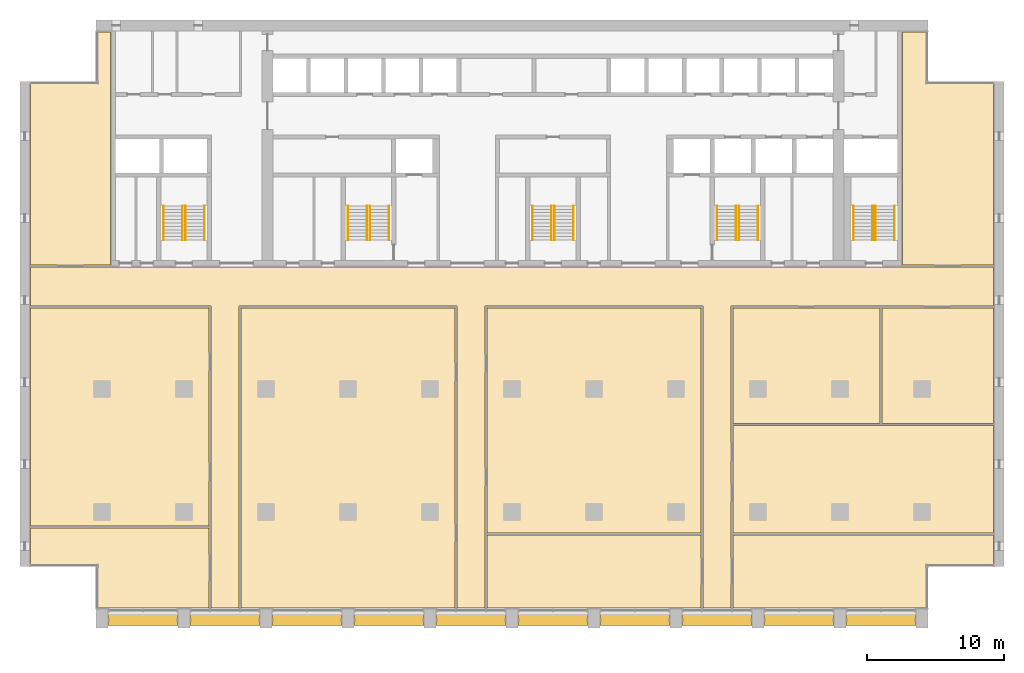
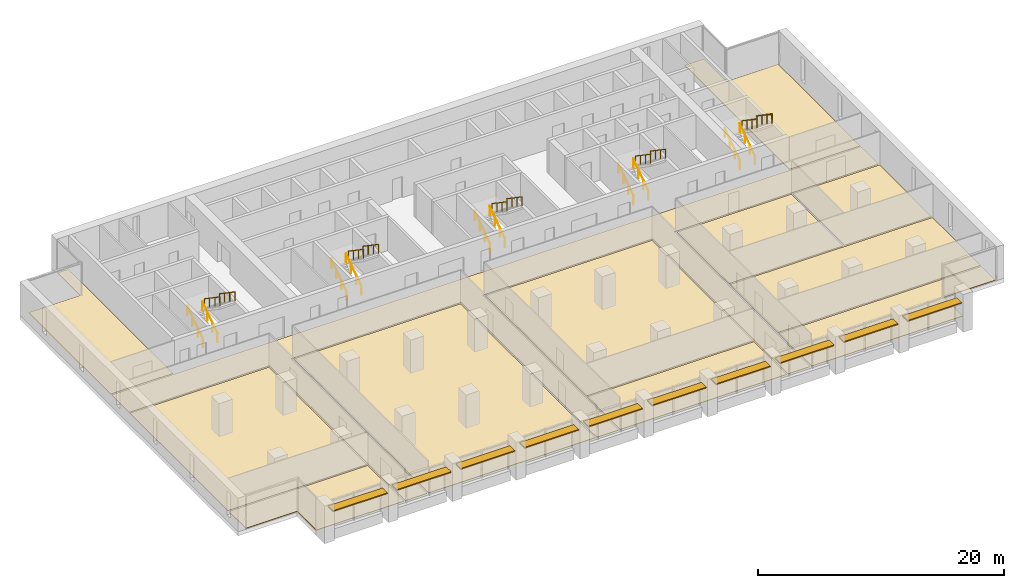
# One storey, part 16 of 16: 20 railings, 12 coverings, 10 shading devices, 5 elements without a shape of their own.
"""IFC4 building model written with IfcOpenShell, lengths in metres."""

from ifc_helpers import new_model, si_unit, direction, frame, origin, origin_2d, place, context, subcontext, project, spatial, polyline, rectangle, circle, outline, extrude, material, layer, layer_set, material_profile, profile_set, type_object, element, aggregate, save


model = new_model("IFC4")

# Units and contexts
model_context = context("Model", 3, precision=1e-05, world=origin(), true_north=direction((0.0, 1.0)))
body_context = subcontext(model_context, "Body", "Model", "MODEL_VIEW")
ifc_project = project(units=[si_unit("LENGTHUNIT", "METRE"), si_unit("AREAUNIT", "SQUARE_METRE"), si_unit("VOLUMEUNIT", "CUBIC_METRE"), si_unit("PLANEANGLEUNIT", "RADIAN"), si_unit("MASSUNIT", "GRAM", prefix="KILO")], contexts=[model_context])

# Site, building, storey
site_placement = place(None, origin())
site = spatial("IfcSite", under=ifc_project, at=site_placement, CompositionType="ELEMENT")
building_placement = place(site_placement, origin())
building = spatial("IfcBuilding", under=site, at=building_placement, Name="Calvaro Tower", CompositionType="ELEMENT")
storey_placement = place(building_placement, frame((0.0, 0.0, 140.0)))
storey = spatial("IfcBuildingStorey", under=building, at=storey_placement, Name="L35", CompositionType="ELEMENT", Elevation=140.0)

# Shading devices
ifc_material_1 = material(Name="Anodised aluminium", Category="aluminium")
ifc_material_profile = material_profile(ifc_material_1, rectangle(XDim=0.800048828125, YDim=0.10009765625, at=origin_2d()), Name="Brise-soleil blade 800 x 100")
ifc_profile_set = profile_set([ifc_material_profile], Name="Anodised aluminium")
shading_device_type = type_object("IfcShadingDeviceType", Name="Brise-soleil blade 800 x 100", PredefinedType="JALOUSIE", material=ifc_profile_set)
for number, where, z_axis, x_axis, name in (
    (1, (6.449951171875, 2.10009765625, 2.39990234375), (1.0, 0.0, 0.0), (0.0, 1.0, 0.0), "Brise-soleil blade 1"),
    (2, (12.449951171875, 2.10009765625, 2.39990234375), (1.0, 0.0, 0.0), (0.0, 1.0, 0.0), "Brise-soleil blade 2"),
    (3, (18.449951171875, 2.10009765625, 2.39990234375), (1.0, 0.0, 0.0), (0.0, 1.0, 0.0), "Brise-soleil blade 3"),
    (4, (24.449951171875, 2.10009765625, 2.39990234375), (1.0, 0.0, 0.0), (0.0, 1.0, 0.0), "Brise-soleil blade 4"),
    (5, (30.449951171875, 2.10009765625, 2.39990234375), (1.0, 0.0, 0.0), (0.0, 1.0, 0.0), "Brise-soleil blade 5"),
    (6, (36.449951171875, 2.10009765625, 2.39990234375), (1.0, 0.0, 0.0), (0.0, 1.0, 0.0), "Brise-soleil blade 6"),
    (7, (42.449951171875, 2.10009765625, 2.39990234375), (1.0, 0.0, 0.0), (0.0, 1.0, 0.0), "Brise-soleil blade 7"),
    (8, (48.449951171875, 2.10009765625, 2.39990234375), (1.0, 0.0, 0.0), (0.0, 1.0, 0.0), "Brise-soleil blade 8"),
    (9, (54.449951171875, 2.10009765625, 2.39990234375), (1.0, 0.0, 0.0), (0.0, 1.0, 0.0), "Brise-soleil blade 9"),
    (10, (60.449951171875, 2.10009765625, 2.39990234375), (1.0, 0.0, 0.0), (0.0, 1.0, 0.0), "Brise-soleil blade 10"),
):
    element("IfcShadingDevice", number, at=place(storey_placement, frame(where, z_axis=z_axis, x_axis=x_axis)), inside=storey, type_object=shading_device_type, Name=name, PredefinedType="JALOUSIE", context=body_context, shape_type="SweptSolid", body=[
        extrude(rectangle(XDim=0.800048828125, YDim=0.10009765625, at=origin_2d()), origin(), (0.0, 0.0, 1.0), 5.10009765625),
    ])

# Coverings
ifc_material_2 = material(Name="Cement screed with carpet tile finish")
ifc_layer = layer(ifc_material_2, 0.050048828125)
ifc_layer_set = layer_set([ifc_layer], Name="Cement screed with carpet tile finish")
covering_type = type_object("IfcCoveringType", Name="Floor finish 50", PredefinedType="FLOORING", material=ifc_layer_set)
covering_1_placement = place(storey_placement, origin())
element("IfcCovering", 11, at=covering_1_placement, inside=storey, type_object=covering_type, Name="Floor finish 21.01", PredefinedType="FLOORING", context=body_context, shape_type="SweptSolid", body=[
    extrude(outline(polyline([(0.77001953125, 25.070068359375), (0.77001953125, 27.929931640625), (71.22998046875, 27.929931640625), (71.22998046875, 25.070068359375), (52.030029296875, 25.070068359375), (52.030029296875, 2.969970703125), (49.969970703125, 2.969970703125), (49.969970703125, 25.070068359375), (34.030029296875, 25.070068359375), (34.030029296875, 2.969970703125), (31.969970703125, 2.969970703125), (31.969970703125, 25.070068359375), (16.030029296875, 25.070068359375), (16.030029296875, 2.969970703125), (13.969970703125, 2.969970703125), (13.969970703125, 25.070068359375), (0.77001953125, 25.070068359375)])), origin(), (0.0, 0.0, 1.0), 0.050048828125),
])
covering_2_placement = place(storey_placement, origin())
element("IfcCovering", 12, at=covering_2_placement, inside=storey, type_object=covering_type, Name="Floor finish 21.04", PredefinedType="FLOORING", context=body_context, shape_type="SweptSolid", body=[
    extrude(outline(polyline([(13.830078125, 8.830078125), (13.830078125, 2.969970703125), (5.6201171875, 2.969970703125), (5.6201171875, 6.070068359375), (0.77001953125, 6.070068359375), (0.77001953125, 8.830078125), (13.830078125, 8.830078125)])), origin(), (0.0, 0.0, 1.0), 0.050048828125),
])
covering_3_placement = place(storey_placement, origin())
element("IfcCovering", 13, at=covering_3_placement, inside=storey, type_object=covering_type, Name="Floor finish 21.08", PredefinedType="FLOORING", context=body_context, shape_type="SweptSolid", body=[
    extrude(outline(polyline([(13.830078125, 24.929931640625), (13.830078125, 8.969970703125), (0.77001953125, 8.969970703125), (0.77001953125, 24.929931640625), (13.830078125, 24.929931640625)])), origin(), (0.0, 0.0, 1.0), 0.050048828125),
])
covering_4_placement = place(storey_placement, origin())
element("IfcCovering", 14, at=covering_4_placement, inside=storey, type_object=covering_type, Name="Floor finish 21.06", PredefinedType="FLOORING", context=body_context, shape_type="SweptSolid", body=[
    extrude(outline(polyline([(16.169921875, 24.929931640625), (31.830078125, 24.929931640625), (31.830078125, 2.969970703125), (16.169921875, 2.969970703125), (16.169921875, 24.929931640625)])), origin(), (0.0, 0.0, 1.0), 0.050048828125),
])
covering_5_placement = place(storey_placement, origin())
element("IfcCovering", 15, at=covering_5_placement, inside=storey, type_object=covering_type, Name="Floor finish 21.02", PredefinedType="FLOORING", context=body_context, shape_type="SweptSolid", body=[
    extrude(outline(polyline([(34.169921875, 8.330078125), (49.830078125, 8.330078125), (49.830078125, 2.969970703125), (34.169921875, 2.969970703125), (34.169921875, 8.330078125)])), origin(), (0.0, 0.0, 1.0), 0.050048828125),
])
covering_6_placement = place(storey_placement, origin())
element("IfcCovering", 16, at=covering_6_placement, inside=storey, type_object=covering_type, Name="Floor finish 21.07", PredefinedType="FLOORING", context=body_context, shape_type="SweptSolid", body=[
    extrude(outline(polyline([(34.169921875, 8.469970703125), (34.169921875, 24.929931640625), (49.830078125, 24.929931640625), (49.830078125, 8.469970703125), (34.169921875, 8.469970703125)])), origin(), (0.0, 0.0, 1.0), 0.050048828125),
])
covering_7_placement = place(storey_placement, origin())
element("IfcCovering", 17, at=covering_7_placement, inside=storey, type_object=covering_type, Name="Floor finish 21.03", PredefinedType="FLOORING", context=body_context, shape_type="SweptSolid", body=[
    extrude(outline(polyline([(71.22998046875, 6.070068359375), (66.3798828125, 6.070068359375), (66.3798828125, 2.969970703125), (52.169921875, 2.969970703125), (52.169921875, 8.330078125), (71.22998046875, 8.330078125), (71.22998046875, 6.070068359375)])), origin(), (0.0, 0.0, 1.0), 0.050048828125),
])
covering_8_placement = place(storey_placement, origin())
element("IfcCovering", 18, at=covering_8_placement, inside=storey, type_object=covering_type, Name="Floor finish 21.05", PredefinedType="FLOORING", context=body_context, shape_type="SweptSolid", body=[
    extrude(outline(polyline([(71.22998046875, 8.469970703125), (52.169921875, 8.469970703125), (52.169921875, 16.330078125), (71.22998046875, 16.330078125), (71.22998046875, 8.469970703125)])), origin(), (0.0, 0.0, 1.0), 0.050048828125),
])
covering_9_placement = place(storey_placement, origin())
element("IfcCovering", 19, at=covering_9_placement, inside=storey, type_object=covering_type, Name="Floor finish 21.09", PredefinedType="FLOORING", context=body_context, shape_type="SweptSolid", body=[
    extrude(outline(polyline([(52.169921875, 16.469970703125), (52.169921875, 24.929931640625), (62.929931640625, 24.929931640625), (62.929931640625, 16.469970703125), (52.169921875, 16.469970703125)])), origin(), (0.0, 0.0, 1.0), 0.050048828125),
])
covering_10_placement = place(storey_placement, origin())
element("IfcCovering", 20, at=covering_10_placement, inside=storey, type_object=covering_type, Name="Floor finish 21.10", PredefinedType="FLOORING", context=body_context, shape_type="SweptSolid", body=[
    extrude(outline(polyline([(71.22998046875, 16.469970703125), (63.070068359375, 16.469970703125), (63.070068359375, 24.929931640625), (71.22998046875, 24.929931640625), (71.22998046875, 16.469970703125)])), origin(), (0.0, 0.0, 1.0), 0.050048828125),
])
covering_11_placement = place(storey_placement, origin())
element("IfcCovering", 21, at=covering_11_placement, inside=storey, type_object=covering_type, Name="Floor finish 21.11", PredefinedType="FLOORING", context=body_context, shape_type="SweptSolid", body=[
    extrude(outline(polyline([(6.6298828125, 28.070068359375), (0.77001953125, 28.070068359375), (0.77001953125, 41.429931640625), (5.6201171875, 41.429931640625), (5.6201171875, 45.1298828125), (6.6298828125, 45.1298828125), (6.6298828125, 28.070068359375)])), origin(), (0.0, 0.0, 1.0), 0.050048828125),
])
covering_12_placement = place(storey_placement, origin())
element("IfcCovering", 22, at=covering_12_placement, inside=storey, type_object=covering_type, Name="Floor finish 21.12", PredefinedType="FLOORING", context=body_context, shape_type="SweptSolid", body=[
    extrude(outline(polyline([(71.22998046875, 28.070068359375), (64.570068359375, 28.070068359375), (64.570068359375, 45.1298828125), (66.3798828125, 45.1298828125), (66.3798828125, 41.429931640625), (71.22998046875, 41.429931640625), (71.22998046875, 28.070068359375)])), origin(), (0.0, 0.0, 1.0), 0.050048828125),
])

# Stair, railings
ifc_material_3 = material(Name="Concrete C40/50", Category="concrete")
stair_type = type_object("IfcStairType", Name="Exit stair 1400 2 flights", PredefinedType="HALF_TURN_STAIR", material=ifc_material_3)
stair_1_placement = place(storey_placement, origin())
stair_1 = element("IfcStair", 23, at=stair_1_placement, inside=storey, type_object=stair_type, Name="Exit stair S1", PredefinedType="HALF_TURN_STAIR")
ifc_material_4 = material(Name="Stainless steel", Category="steel")
railing_type = type_object("IfcRailingType", Name="Stair handrail", PredefinedType="HANDRAIL", material=ifc_material_4)
railing_1_placement = place(storey_placement, frame((11.89990234375, 29.89990234375, 0.17041015625)))
railing_1 = element("IfcRailing", 24, at=railing_1_placement, type_object=railing_type, Name="Exit stair 1 handrail", PredefinedType="HANDRAIL", context=body_context, shape_type="SweptSolid", body=[
    extrude(circle(Radius=0.02392578125, at=origin_2d()), frame((0.0, 0.0, 0.8759765625), z_axis=(0.0, 0.826220514629, 0.563346839174), x_axis=(-1.0, 0.0, 0.0)), (0.0, 0.0, 1.0), 3.02587890625),
    extrude(circle(Radius=0.02099609375, at=origin_2d()), frame((0.0, 0.017333984375, 0.01171875)), (0.0, 0.0, 1.0), 0.851806640625),
    extrude(circle(Radius=0.02099609375, at=origin_2d()), frame((0.0, 0.833251953125, 0.568115234375)), (0.0, 0.0, 1.0), 0.851806640625),
    extrude(circle(Radius=0.02099609375, at=origin_2d()), frame((0.0, 1.666748046875, 1.136474609375)), (0.0, 0.0, 1.0), 0.851806640625),
    extrude(circle(Radius=0.02099609375, at=origin_2d()), frame((0.0, 2.482666015625, 1.69287109375)), (0.0, 0.0, 1.0), 0.851806640625),
])
railing_2_placement = place(storey_placement, frame((10.5, 29.89990234375, 0.17041015625)))
railing_2 = element("IfcRailing", 25, at=railing_2_placement, type_object=railing_type, Name="Exit stair 1 handrail", PredefinedType="HANDRAIL", context=body_context, shape_type="SweptSolid", body=[
    extrude(circle(Radius=0.02392578125, at=origin_2d()), frame((0.0, 0.0, 0.8759765625), z_axis=(0.0, 0.826220514629, 0.563346839174), x_axis=(-1.0, 0.0, 0.0)), (0.0, 0.0, 1.0), 3.02587890625),
    extrude(circle(Radius=0.02099609375, at=origin_2d()), frame((0.0, 0.017333984375, 0.01171875)), (0.0, 0.0, 1.0), 0.851806640625),
    extrude(circle(Radius=0.02099609375, at=origin_2d()), frame((0.0, 0.833251953125, 0.568115234375)), (0.0, 0.0, 1.0), 0.851806640625),
    extrude(circle(Radius=0.02099609375, at=origin_2d()), frame((0.0, 1.666748046875, 1.136474609375)), (0.0, 0.0, 1.0), 0.851806640625),
    extrude(circle(Radius=0.02099609375, at=origin_2d()), frame((0.0, 2.482666015625, 1.69287109375)), (0.0, 0.0, 1.0), 0.851806640625),
])
railing_3_placement = place(storey_placement, frame((12.10009765625, 32.39990234375, 2.04541015625)))
railing_3 = element("IfcRailing", 26, at=railing_3_placement, type_object=railing_type, Name="Exit stair 1 handrail", PredefinedType="HANDRAIL", context=body_context, shape_type="SweptSolid", body=[
    extrude(circle(Radius=0.02392578125, at=origin_2d()), frame((0.0, 0.0, 0.8759765625), z_axis=(0.0, -0.826220514629, 0.563346839174), x_axis=(1.0, 0.0, 0.0)), (0.0, 0.0, 1.0), 3.02587890625),
    extrude(circle(Radius=0.02099609375, at=origin_2d()), frame((0.0, -0.017333984375, 0.01171875)), (0.0, 0.0, 1.0), 0.851806640625),
    extrude(circle(Radius=0.02099609375, at=origin_2d()), frame((0.0, -0.833251953125, 0.568115234375)), (0.0, 0.0, 1.0), 0.851806640625),
    extrude(circle(Radius=0.02099609375, at=origin_2d()), frame((0.0, -1.666748046875, 1.136474609375)), (0.0, 0.0, 1.0), 0.851806640625),
    extrude(circle(Radius=0.02099609375, at=origin_2d()), frame((0.0, -2.482666015625, 1.69287109375)), (0.0, 0.0, 1.0), 0.851806640625),
])
railing_4_placement = place(storey_placement, frame((13.5, 32.39990234375, 2.04541015625)))
railing_4 = element("IfcRailing", 27, at=railing_4_placement, type_object=railing_type, Name="Exit stair 1 handrail", PredefinedType="HANDRAIL", context=body_context, shape_type="SweptSolid", body=[
    extrude(circle(Radius=0.02392578125, at=origin_2d()), frame((0.0, 0.0, 0.8759765625), z_axis=(0.0, -0.826220514629, 0.563346839174), x_axis=(1.0, 0.0, 0.0)), (0.0, 0.0, 1.0), 3.02587890625),
    extrude(circle(Radius=0.02099609375, at=origin_2d()), frame((0.0, -0.017333984375, 0.01171875)), (0.0, 0.0, 1.0), 0.851806640625),
    extrude(circle(Radius=0.02099609375, at=origin_2d()), frame((0.0, -0.833251953125, 0.568115234375)), (0.0, 0.0, 1.0), 0.851806640625),
    extrude(circle(Radius=0.02099609375, at=origin_2d()), frame((0.0, -1.666748046875, 1.136474609375)), (0.0, 0.0, 1.0), 0.851806640625),
    extrude(circle(Radius=0.02099609375, at=origin_2d()), frame((0.0, -2.482666015625, 1.69287109375)), (0.0, 0.0, 1.0), 0.851806640625),
])
aggregate(stair_1, [railing_1, railing_2, railing_3, railing_4])

stair_2_placement = place(storey_placement, origin())
stair_2 = element("IfcStair", 28, at=stair_2_placement, inside=storey, type_object=stair_type, Name="Exit stair S2", PredefinedType="HALF_TURN_STAIR")
railing_5_placement = place(storey_placement, frame((25.39990234375, 29.89990234375, 0.17041015625)))
railing_5 = element("IfcRailing", 29, at=railing_5_placement, type_object=railing_type, Name="Exit stair 2 handrail", PredefinedType="HANDRAIL", context=body_context, shape_type="SweptSolid", body=[
    extrude(circle(Radius=0.02392578125, at=origin_2d()), frame((0.0, 0.0, 0.8759765625), z_axis=(0.0, 0.826220514629, 0.563346839174), x_axis=(-1.0, 0.0, 0.0)), (0.0, 0.0, 1.0), 3.02587890625),
    extrude(circle(Radius=0.02099609375, at=origin_2d()), frame((0.0, 0.017333984375, 0.01171875)), (0.0, 0.0, 1.0), 0.851806640625),
    extrude(circle(Radius=0.02099609375, at=origin_2d()), frame((0.0, 0.833251953125, 0.568115234375)), (0.0, 0.0, 1.0), 0.851806640625),
    extrude(circle(Radius=0.02099609375, at=origin_2d()), frame((0.0, 1.666748046875, 1.136474609375)), (0.0, 0.0, 1.0), 0.851806640625),
    extrude(circle(Radius=0.02099609375, at=origin_2d()), frame((0.0, 2.482666015625, 1.69287109375)), (0.0, 0.0, 1.0), 0.851806640625),
])
railing_6_placement = place(storey_placement, frame((24.0, 29.89990234375, 0.17041015625)))
railing_6 = element("IfcRailing", 30, at=railing_6_placement, type_object=railing_type, Name="Exit stair 2 handrail", PredefinedType="HANDRAIL", context=body_context, shape_type="SweptSolid", body=[
    extrude(circle(Radius=0.02392578125, at=origin_2d()), frame((0.0, 0.0, 0.8759765625), z_axis=(0.0, 0.826220514629, 0.563346839174), x_axis=(-1.0, 0.0, 0.0)), (0.0, 0.0, 1.0), 3.02587890625),
    extrude(circle(Radius=0.02099609375, at=origin_2d()), frame((0.0, 0.017333984375, 0.01171875)), (0.0, 0.0, 1.0), 0.851806640625),
    extrude(circle(Radius=0.02099609375, at=origin_2d()), frame((0.0, 0.833251953125, 0.568115234375)), (0.0, 0.0, 1.0), 0.851806640625),
    extrude(circle(Radius=0.02099609375, at=origin_2d()), frame((0.0, 1.666748046875, 1.136474609375)), (0.0, 0.0, 1.0), 0.851806640625),
    extrude(circle(Radius=0.02099609375, at=origin_2d()), frame((0.0, 2.482666015625, 1.69287109375)), (0.0, 0.0, 1.0), 0.851806640625),
])
railing_7_placement = place(storey_placement, frame((25.60009765625, 32.39990234375, 2.04541015625)))
railing_7 = element("IfcRailing", 31, at=railing_7_placement, type_object=railing_type, Name="Exit stair 2 handrail", PredefinedType="HANDRAIL", context=body_context, shape_type="SweptSolid", body=[
    extrude(circle(Radius=0.02392578125, at=origin_2d()), frame((0.0, 0.0, 0.8759765625), z_axis=(0.0, -0.826220514629, 0.563346839174), x_axis=(1.0, 0.0, 0.0)), (0.0, 0.0, 1.0), 3.02587890625),
    extrude(circle(Radius=0.02099609375, at=origin_2d()), frame((0.0, -0.017333984375, 0.01171875)), (0.0, 0.0, 1.0), 0.851806640625),
    extrude(circle(Radius=0.02099609375, at=origin_2d()), frame((0.0, -0.833251953125, 0.568115234375)), (0.0, 0.0, 1.0), 0.851806640625),
    extrude(circle(Radius=0.02099609375, at=origin_2d()), frame((0.0, -1.666748046875, 1.136474609375)), (0.0, 0.0, 1.0), 0.851806640625),
    extrude(circle(Radius=0.02099609375, at=origin_2d()), frame((0.0, -2.482666015625, 1.69287109375)), (0.0, 0.0, 1.0), 0.851806640625),
])
railing_8_placement = place(storey_placement, frame((27.0, 32.39990234375, 2.04541015625)))
railing_8 = element("IfcRailing", 32, at=railing_8_placement, type_object=railing_type, Name="Exit stair 2 handrail", PredefinedType="HANDRAIL", context=body_context, shape_type="SweptSolid", body=[
    extrude(circle(Radius=0.02392578125, at=origin_2d()), frame((0.0, 0.0, 0.8759765625), z_axis=(0.0, -0.826220514629, 0.563346839174), x_axis=(1.0, 0.0, 0.0)), (0.0, 0.0, 1.0), 3.02587890625),
    extrude(circle(Radius=0.02099609375, at=origin_2d()), frame((0.0, -0.017333984375, 0.01171875)), (0.0, 0.0, 1.0), 0.851806640625),
    extrude(circle(Radius=0.02099609375, at=origin_2d()), frame((0.0, -0.833251953125, 0.568115234375)), (0.0, 0.0, 1.0), 0.851806640625),
    extrude(circle(Radius=0.02099609375, at=origin_2d()), frame((0.0, -1.666748046875, 1.136474609375)), (0.0, 0.0, 1.0), 0.851806640625),
    extrude(circle(Radius=0.02099609375, at=origin_2d()), frame((0.0, -2.482666015625, 1.69287109375)), (0.0, 0.0, 1.0), 0.851806640625),
])
aggregate(stair_2, [railing_5, railing_6, railing_7, railing_8])

stair_3_placement = place(storey_placement, origin())
stair_3 = element("IfcStair", 33, at=stair_3_placement, inside=storey, type_object=stair_type, Name="Exit stair S3", PredefinedType="HALF_TURN_STAIR")
railing_9_placement = place(storey_placement, frame((38.89990234375, 29.89990234375, 0.17041015625)))
railing_9 = element("IfcRailing", 34, at=railing_9_placement, type_object=railing_type, Name="Exit stair 3 handrail", PredefinedType="HANDRAIL", context=body_context, shape_type="SweptSolid", body=[
    extrude(circle(Radius=0.02392578125, at=origin_2d()), frame((0.0, 0.0, 0.8759765625), z_axis=(0.0, 0.826220514629, 0.563346839174), x_axis=(-1.0, 0.0, 0.0)), (0.0, 0.0, 1.0), 3.02587890625),
    extrude(circle(Radius=0.02099609375, at=origin_2d()), frame((0.0, 0.017333984375, 0.01171875)), (0.0, 0.0, 1.0), 0.851806640625),
    extrude(circle(Radius=0.02099609375, at=origin_2d()), frame((0.0, 0.833251953125, 0.568115234375)), (0.0, 0.0, 1.0), 0.851806640625),
    extrude(circle(Radius=0.02099609375, at=origin_2d()), frame((0.0, 1.666748046875, 1.136474609375)), (0.0, 0.0, 1.0), 0.851806640625),
    extrude(circle(Radius=0.02099609375, at=origin_2d()), frame((0.0, 2.482666015625, 1.69287109375)), (0.0, 0.0, 1.0), 0.851806640625),
])
railing_10_placement = place(storey_placement, frame((37.5, 29.89990234375, 0.17041015625)))
railing_10 = element("IfcRailing", 35, at=railing_10_placement, type_object=railing_type, Name="Exit stair 3 handrail", PredefinedType="HANDRAIL", context=body_context, shape_type="SweptSolid", body=[
    extrude(circle(Radius=0.02392578125, at=origin_2d()), frame((0.0, 0.0, 0.8759765625), z_axis=(0.0, 0.826220514629, 0.563346839174), x_axis=(-1.0, 0.0, 0.0)), (0.0, 0.0, 1.0), 3.02587890625),
    extrude(circle(Radius=0.02099609375, at=origin_2d()), frame((0.0, 0.017333984375, 0.01171875)), (0.0, 0.0, 1.0), 0.851806640625),
    extrude(circle(Radius=0.02099609375, at=origin_2d()), frame((0.0, 0.833251953125, 0.568115234375)), (0.0, 0.0, 1.0), 0.851806640625),
    extrude(circle(Radius=0.02099609375, at=origin_2d()), frame((0.0, 1.666748046875, 1.136474609375)), (0.0, 0.0, 1.0), 0.851806640625),
    extrude(circle(Radius=0.02099609375, at=origin_2d()), frame((0.0, 2.482666015625, 1.69287109375)), (0.0, 0.0, 1.0), 0.851806640625),
])
railing_11_placement = place(storey_placement, frame((39.10009765625, 32.39990234375, 2.04541015625)))
railing_11 = element("IfcRailing", 36, at=railing_11_placement, type_object=railing_type, Name="Exit stair 3 handrail", PredefinedType="HANDRAIL", context=body_context, shape_type="SweptSolid", body=[
    extrude(circle(Radius=0.02392578125, at=origin_2d()), frame((0.0, 0.0, 0.8759765625), z_axis=(0.0, -0.826220514629, 0.563346839174), x_axis=(1.0, 0.0, 0.0)), (0.0, 0.0, 1.0), 3.02587890625),
    extrude(circle(Radius=0.02099609375, at=origin_2d()), frame((0.0, -0.017333984375, 0.01171875)), (0.0, 0.0, 1.0), 0.851806640625),
    extrude(circle(Radius=0.02099609375, at=origin_2d()), frame((0.0, -0.833251953125, 0.568115234375)), (0.0, 0.0, 1.0), 0.851806640625),
    extrude(circle(Radius=0.02099609375, at=origin_2d()), frame((0.0, -1.666748046875, 1.136474609375)), (0.0, 0.0, 1.0), 0.851806640625),
    extrude(circle(Radius=0.02099609375, at=origin_2d()), frame((0.0, -2.482666015625, 1.69287109375)), (0.0, 0.0, 1.0), 0.851806640625),
])
railing_12_placement = place(storey_placement, frame((40.5, 32.39990234375, 2.04541015625)))
railing_12 = element("IfcRailing", 37, at=railing_12_placement, type_object=railing_type, Name="Exit stair 3 handrail", PredefinedType="HANDRAIL", context=body_context, shape_type="SweptSolid", body=[
    extrude(circle(Radius=0.02392578125, at=origin_2d()), frame((0.0, 0.0, 0.8759765625), z_axis=(0.0, -0.826220514629, 0.563346839174), x_axis=(1.0, 0.0, 0.0)), (0.0, 0.0, 1.0), 3.02587890625),
    extrude(circle(Radius=0.02099609375, at=origin_2d()), frame((0.0, -0.017333984375, 0.01171875)), (0.0, 0.0, 1.0), 0.851806640625),
    extrude(circle(Radius=0.02099609375, at=origin_2d()), frame((0.0, -0.833251953125, 0.568115234375)), (0.0, 0.0, 1.0), 0.851806640625),
    extrude(circle(Radius=0.02099609375, at=origin_2d()), frame((0.0, -1.666748046875, 1.136474609375)), (0.0, 0.0, 1.0), 0.851806640625),
    extrude(circle(Radius=0.02099609375, at=origin_2d()), frame((0.0, -2.482666015625, 1.69287109375)), (0.0, 0.0, 1.0), 0.851806640625),
])
aggregate(stair_3, [railing_9, railing_10, railing_11, railing_12])

stair_4_placement = place(storey_placement, origin())
stair_4 = element("IfcStair", 38, at=stair_4_placement, inside=storey, type_object=stair_type, Name="Exit stair S4", PredefinedType="HALF_TURN_STAIR")
railing_13_placement = place(storey_placement, frame((52.39990234375, 29.89990234375, 0.17041015625)))
railing_13 = element("IfcRailing", 39, at=railing_13_placement, type_object=railing_type, Name="Exit stair 4 handrail", PredefinedType="HANDRAIL", context=body_context, shape_type="SweptSolid", body=[
    extrude(circle(Radius=0.02392578125, at=origin_2d()), frame((0.0, 0.0, 0.8759765625), z_axis=(0.0, 0.826220514629, 0.563346839174), x_axis=(-1.0, 0.0, 0.0)), (0.0, 0.0, 1.0), 3.02587890625),
    extrude(circle(Radius=0.02099609375, at=origin_2d()), frame((0.0, 0.017333984375, 0.01171875)), (0.0, 0.0, 1.0), 0.851806640625),
    extrude(circle(Radius=0.02099609375, at=origin_2d()), frame((0.0, 0.833251953125, 0.568115234375)), (0.0, 0.0, 1.0), 0.851806640625),
    extrude(circle(Radius=0.02099609375, at=origin_2d()), frame((0.0, 1.666748046875, 1.136474609375)), (0.0, 0.0, 1.0), 0.851806640625),
    extrude(circle(Radius=0.02099609375, at=origin_2d()), frame((0.0, 2.482666015625, 1.69287109375)), (0.0, 0.0, 1.0), 0.851806640625),
])
railing_14_placement = place(storey_placement, frame((51.0, 29.89990234375, 0.17041015625)))
railing_14 = element("IfcRailing", 40, at=railing_14_placement, type_object=railing_type, Name="Exit stair 4 handrail", PredefinedType="HANDRAIL", context=body_context, shape_type="SweptSolid", body=[
    extrude(circle(Radius=0.02392578125, at=origin_2d()), frame((0.0, 0.0, 0.8759765625), z_axis=(0.0, 0.826220514629, 0.563346839174), x_axis=(-1.0, 0.0, 0.0)), (0.0, 0.0, 1.0), 3.02587890625),
    extrude(circle(Radius=0.02099609375, at=origin_2d()), frame((0.0, 0.017333984375, 0.01171875)), (0.0, 0.0, 1.0), 0.851806640625),
    extrude(circle(Radius=0.02099609375, at=origin_2d()), frame((0.0, 0.833251953125, 0.568115234375)), (0.0, 0.0, 1.0), 0.851806640625),
    extrude(circle(Radius=0.02099609375, at=origin_2d()), frame((0.0, 1.666748046875, 1.136474609375)), (0.0, 0.0, 1.0), 0.851806640625),
    extrude(circle(Radius=0.02099609375, at=origin_2d()), frame((0.0, 2.482666015625, 1.69287109375)), (0.0, 0.0, 1.0), 0.851806640625),
])
railing_15_placement = place(storey_placement, frame((52.60009765625, 32.39990234375, 2.04541015625)))
railing_15 = element("IfcRailing", 41, at=railing_15_placement, type_object=railing_type, Name="Exit stair 4 handrail", PredefinedType="HANDRAIL", context=body_context, shape_type="SweptSolid", body=[
    extrude(circle(Radius=0.02392578125, at=origin_2d()), frame((0.0, 0.0, 0.8759765625), z_axis=(0.0, -0.826220514629, 0.563346839174), x_axis=(1.0, 0.0, 0.0)), (0.0, 0.0, 1.0), 3.02587890625),
    extrude(circle(Radius=0.02099609375, at=origin_2d()), frame((0.0, -0.017333984375, 0.01171875)), (0.0, 0.0, 1.0), 0.851806640625),
    extrude(circle(Radius=0.02099609375, at=origin_2d()), frame((0.0, -0.833251953125, 0.568115234375)), (0.0, 0.0, 1.0), 0.851806640625),
    extrude(circle(Radius=0.02099609375, at=origin_2d()), frame((0.0, -1.666748046875, 1.136474609375)), (0.0, 0.0, 1.0), 0.851806640625),
    extrude(circle(Radius=0.02099609375, at=origin_2d()), frame((0.0, -2.482666015625, 1.69287109375)), (0.0, 0.0, 1.0), 0.851806640625),
])
railing_16_placement = place(storey_placement, frame((54.0, 32.39990234375, 2.04541015625)))
railing_16 = element("IfcRailing", 42, at=railing_16_placement, type_object=railing_type, Name="Exit stair 4 handrail", PredefinedType="HANDRAIL", context=body_context, shape_type="SweptSolid", body=[
    extrude(circle(Radius=0.02392578125, at=origin_2d()), frame((0.0, 0.0, 0.8759765625), z_axis=(0.0, -0.826220514629, 0.563346839174), x_axis=(1.0, 0.0, 0.0)), (0.0, 0.0, 1.0), 3.02587890625),
    extrude(circle(Radius=0.02099609375, at=origin_2d()), frame((0.0, -0.017333984375, 0.01171875)), (0.0, 0.0, 1.0), 0.851806640625),
    extrude(circle(Radius=0.02099609375, at=origin_2d()), frame((0.0, -0.833251953125, 0.568115234375)), (0.0, 0.0, 1.0), 0.851806640625),
    extrude(circle(Radius=0.02099609375, at=origin_2d()), frame((0.0, -1.666748046875, 1.136474609375)), (0.0, 0.0, 1.0), 0.851806640625),
    extrude(circle(Radius=0.02099609375, at=origin_2d()), frame((0.0, -2.482666015625, 1.69287109375)), (0.0, 0.0, 1.0), 0.851806640625),
])
aggregate(stair_4, [railing_13, railing_14, railing_15, railing_16])

stair_5_placement = place(storey_placement, origin())
stair_5 = element("IfcStair", 43, at=stair_5_placement, inside=storey, type_object=stair_type, Name="Exit stair S5", PredefinedType="HALF_TURN_STAIR")
railing_17_placement = place(storey_placement, frame((62.39990234375, 29.89990234375, 0.17041015625)))
railing_17 = element("IfcRailing", 44, at=railing_17_placement, type_object=railing_type, Name="Exit stair 5 handrail", PredefinedType="HANDRAIL", context=body_context, shape_type="SweptSolid", body=[
    extrude(circle(Radius=0.02392578125, at=origin_2d()), frame((0.0, 0.0, 0.8759765625), z_axis=(0.0, 0.826220514629, 0.563346839174), x_axis=(-1.0, 0.0, 0.0)), (0.0, 0.0, 1.0), 3.02587890625),
    extrude(circle(Radius=0.02099609375, at=origin_2d()), frame((0.0, 0.017333984375, 0.01171875)), (0.0, 0.0, 1.0), 0.851806640625),
    extrude(circle(Radius=0.02099609375, at=origin_2d()), frame((0.0, 0.833251953125, 0.568115234375)), (0.0, 0.0, 1.0), 0.851806640625),
    extrude(circle(Radius=0.02099609375, at=origin_2d()), frame((0.0, 1.666748046875, 1.136474609375)), (0.0, 0.0, 1.0), 0.851806640625),
    extrude(circle(Radius=0.02099609375, at=origin_2d()), frame((0.0, 2.482666015625, 1.69287109375)), (0.0, 0.0, 1.0), 0.851806640625),
])
railing_18_placement = place(storey_placement, frame((61.0, 29.89990234375, 0.17041015625)))
railing_18 = element("IfcRailing", 45, at=railing_18_placement, type_object=railing_type, Name="Exit stair 5 handrail", PredefinedType="HANDRAIL", context=body_context, shape_type="SweptSolid", body=[
    extrude(circle(Radius=0.02392578125, at=origin_2d()), frame((0.0, 0.0, 0.8759765625), z_axis=(0.0, 0.826220514629, 0.563346839174), x_axis=(-1.0, 0.0, 0.0)), (0.0, 0.0, 1.0), 3.02587890625),
    extrude(circle(Radius=0.02099609375, at=origin_2d()), frame((0.0, 0.017333984375, 0.01171875)), (0.0, 0.0, 1.0), 0.851806640625),
    extrude(circle(Radius=0.02099609375, at=origin_2d()), frame((0.0, 0.833251953125, 0.568115234375)), (0.0, 0.0, 1.0), 0.851806640625),
    extrude(circle(Radius=0.02099609375, at=origin_2d()), frame((0.0, 1.666748046875, 1.136474609375)), (0.0, 0.0, 1.0), 0.851806640625),
    extrude(circle(Radius=0.02099609375, at=origin_2d()), frame((0.0, 2.482666015625, 1.69287109375)), (0.0, 0.0, 1.0), 0.851806640625),
])
railing_19_placement = place(storey_placement, frame((62.60009765625, 32.39990234375, 2.04541015625)))
railing_19 = element("IfcRailing", 46, at=railing_19_placement, type_object=railing_type, Name="Exit stair 5 handrail", PredefinedType="HANDRAIL", context=body_context, shape_type="SweptSolid", body=[
    extrude(circle(Radius=0.02392578125, at=origin_2d()), frame((0.0, 0.0, 0.8759765625), z_axis=(0.0, -0.826220514629, 0.563346839174), x_axis=(1.0, 0.0, 0.0)), (0.0, 0.0, 1.0), 3.02587890625),
    extrude(circle(Radius=0.02099609375, at=origin_2d()), frame((0.0, -0.017333984375, 0.01171875)), (0.0, 0.0, 1.0), 0.851806640625),
    extrude(circle(Radius=0.02099609375, at=origin_2d()), frame((0.0, -0.833251953125, 0.568115234375)), (0.0, 0.0, 1.0), 0.851806640625),
    extrude(circle(Radius=0.02099609375, at=origin_2d()), frame((0.0, -1.666748046875, 1.136474609375)), (0.0, 0.0, 1.0), 0.851806640625),
    extrude(circle(Radius=0.02099609375, at=origin_2d()), frame((0.0, -2.482666015625, 1.69287109375)), (0.0, 0.0, 1.0), 0.851806640625),
])
railing_20_placement = place(storey_placement, frame((64.0, 32.39990234375, 2.04541015625)))
railing_20 = element("IfcRailing", 47, at=railing_20_placement, type_object=railing_type, Name="Exit stair 5 handrail", PredefinedType="HANDRAIL", context=body_context, shape_type="SweptSolid", body=[
    extrude(circle(Radius=0.02392578125, at=origin_2d()), frame((0.0, 0.0, 0.8759765625), z_axis=(0.0, -0.826220514629, 0.563346839174), x_axis=(1.0, 0.0, 0.0)), (0.0, 0.0, 1.0), 3.02587890625),
    extrude(circle(Radius=0.02099609375, at=origin_2d()), frame((0.0, -0.017333984375, 0.01171875)), (0.0, 0.0, 1.0), 0.851806640625),
    extrude(circle(Radius=0.02099609375, at=origin_2d()), frame((0.0, -0.833251953125, 0.568115234375)), (0.0, 0.0, 1.0), 0.851806640625),
    extrude(circle(Radius=0.02099609375, at=origin_2d()), frame((0.0, -1.666748046875, 1.136474609375)), (0.0, 0.0, 1.0), 0.851806640625),
    extrude(circle(Radius=0.02099609375, at=origin_2d()), frame((0.0, -2.482666015625, 1.69287109375)), (0.0, 0.0, 1.0), 0.851806640625),
])
aggregate(stair_5, [railing_17, railing_18, railing_19, railing_20])

save(model, "model.ifc")
